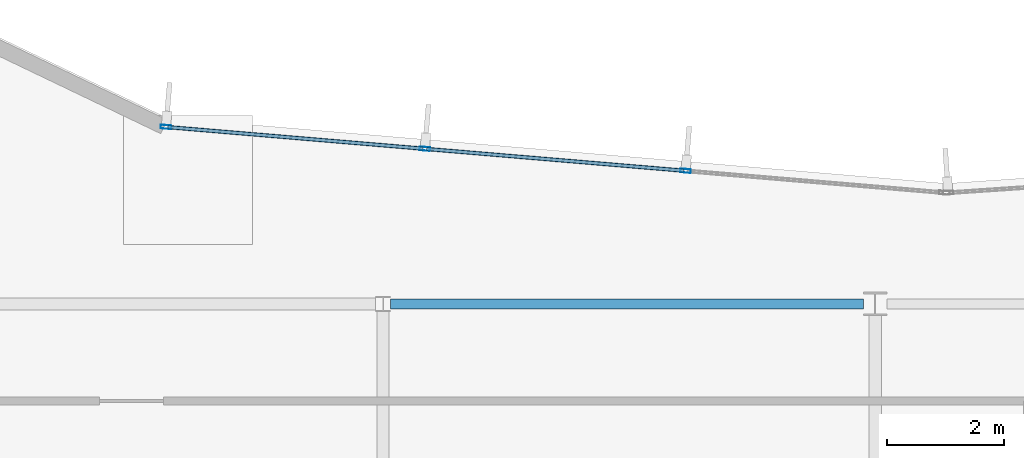
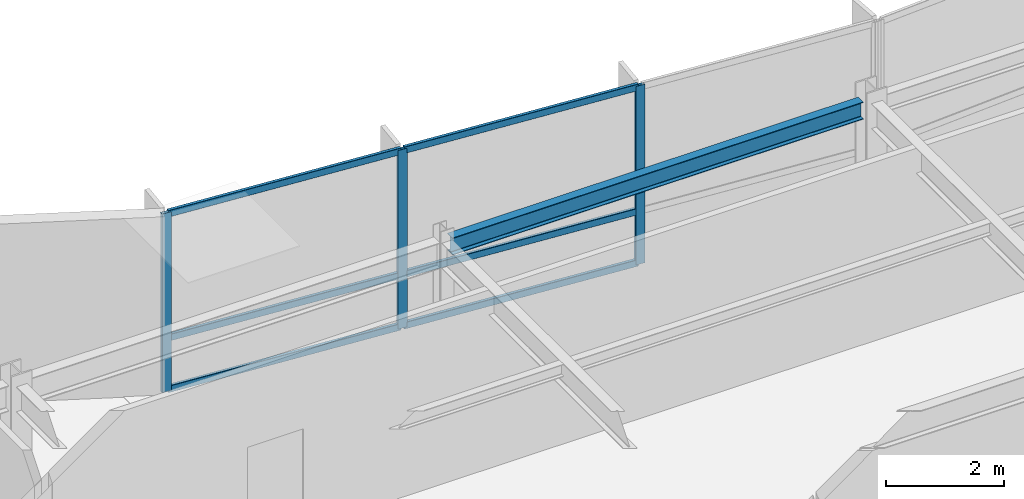
# One storey, part 5 of 15: 9 members, 1 beam, 1 element without a shape of its own.
"""IFC4 building model written with IfcOpenShell, lengths in metres."""

import ifcopenshell
import ifcopenshell.guid

model = None  # the IFC model being written
_history = None  # IfcOwnerHistory: only IFC2X3 demands one
_inside = {}  # id of a spatial element -> (the spatial element, [elements in it])
_under = {}  # id of a project, library or spatial element -> (it, [spatial elements below it])
_declared = {}  # id of a project -> (the project, [libraries it declares])
_typed = {}  # id of a type object -> (the type object, [elements of that type])
_made_of = {}  # id of a material, layer set ... -> (it, [elements and type objects made of it])


def new_model(schema):
    """Start an empty IFC model of exactly this schema.

    Asked for "IFC4X3", IfcOpenShell would pick the latest addendum, in which some entities
    have other attributes; the version numbers below select the first issue.
    IFC2X3 requires an IfcOwnerHistory on every rooted entity: one is made here for all.
    """
    global model, _history
    if schema == "IFC4X3":
        model = ifcopenshell.file(schema_version=(4, 3, 0, 0))
    else:
        model = ifcopenshell.file(schema=schema)
    _inside.clear()
    _under.clear()
    _declared.clear()
    _typed.clear()
    _made_of.clear()
    _history = None
    if model.schema == "IFC2X3":
        org = make("IfcOrganization", Name="unknown")
        user = make(
            "IfcPersonAndOrganization",
            ThePerson=make("IfcPerson", FamilyName="unknown"),
            TheOrganization=org,
        )
        app = make(
            "IfcApplication",
            ApplicationDeveloper=org,
            Version="unknown",
            ApplicationFullName="unknown",
            ApplicationIdentifier="unknown",
        )
        _history = make(
            "IfcOwnerHistory",
            OwningUser=user,
            OwningApplication=app,
            ChangeAction="ADDED",
            CreationDate=0,
        )
    return model


def make(cls, **values):
    """One entity of the class cls with the attributes given. An attribute that is None is left unset."""
    return model.create_entity(
        cls, **{name: value for name, value in values.items() if value is not None}
    )


def rooted(cls, **values):
    """An entity with a GlobalId (a new one), such as an element, a storey or a relation."""
    return make(cls, GlobalId=ifcopenshell.guid.new(), OwnerHistory=_history, **values)


def si_unit(unit_type, name, prefix=None):
    """IfcSIUnit, for example si_unit("LENGTHUNIT", "METRE", prefix="MILLI")."""
    return make("IfcSIUnit", UnitType=unit_type, Prefix=prefix, Name=name)


def assignment(units):
    """IfcUnitAssignment: the units of a project."""
    return None if units is None else make("IfcUnitAssignment", Units=units)


def point(xyz):
    """IfcCartesianPoint."""
    return None if xyz is None else make("IfcCartesianPoint", Coordinates=xyz)


def direction(xyz):
    """IfcDirection."""
    return None if xyz is None else make("IfcDirection", DirectionRatios=xyz)


def frame(location, z_axis=None, x_axis=None):
    """IfcAxis2Placement3D, a coordinate frame: its origin and axes. An axis left out is left unset."""
    return make(
        "IfcAxis2Placement3D",
        Location=point(location),
        Axis=direction(z_axis),
        RefDirection=direction(x_axis),
    )


def frame_2d(location, x_axis=None):
    """IfcAxis2Placement2D, a coordinate frame in the plane: its origin and x axis."""
    return make(
        "IfcAxis2Placement2D", Location=point(location), RefDirection=direction(x_axis)
    )


def origin():
    """The frame at (0, 0, 0) with its axes left unset."""
    return frame((0.0, 0.0, 0.0))


def origin_2d():
    """The frame at (0, 0) in the plane with its x axis left unset."""
    return frame_2d((0.0, 0.0))


def place(relative_to, where):
    """IfcLocalPlacement: puts the frame where relative to a parent placement (None: the world)."""
    return make(
        "IfcLocalPlacement", PlacementRelTo=relative_to, RelativePlacement=where
    )


def context(
    kind, dimensions, precision=None, world=None, true_north=None, identifier=None
):
    """IfcGeometricRepresentationContext, for example the 3D "Model" context."""
    return make(
        "IfcGeometricRepresentationContext",
        ContextIdentifier=identifier,
        ContextType=kind,
        CoordinateSpaceDimension=dimensions,
        Precision=precision,
        WorldCoordinateSystem=world,
        TrueNorth=true_north,
    )


def subcontext(parent, identifier, kind, view, scale=None):
    """IfcGeometricRepresentationSubContext, for example "Body" below "Model"."""
    return make(
        "IfcGeometricRepresentationSubContext",
        ContextIdentifier=identifier,
        ContextType=kind,
        ParentContext=parent,
        TargetScale=scale,
        TargetView=view,
    )


def project(units=None, contexts=None):
    """IfcProject with its units and contexts."""
    return rooted(
        "IfcProject",
        Name="project",
        RepresentationContexts=contexts,
        UnitsInContext=assignment(units),
    )


def spatial(cls, under=None, at=None, **own):
    """A site, building, storey or space (cls), placed at a placement, below another one or the project."""
    s = rooted(cls, ObjectPlacement=at, **own)
    if under is not None:
        _under.setdefault(under.id(), (under, []))[1].append(s)
    return s


def profile(cls, at=None, kind="AREA", **sizes):
    """A parametric profile (cls). Its sizes go by their IFC names, for example OverallWidth=200.0."""
    return make(cls, ProfileType=kind, Position=at, **sizes)


def hollow_rectangle(**sizes):
    """IfcRectangleHollowProfileDef."""
    return profile("IfcRectangleHollowProfileDef", **sizes)


def i_section(**sizes):
    """IfcIShapeProfileDef."""
    return profile("IfcIShapeProfileDef", **sizes)


def extrude(swept, where, along, depth):
    """IfcExtrudedAreaSolid: the profile swept, set in the frame where, extruded along a direction by depth."""
    return make(
        "IfcExtrudedAreaSolid",
        SweptArea=swept,
        Position=where,
        ExtrudedDirection=direction(along),
        Depth=depth,
    )


def shape(context_of_items, identifier, shape_type, items):
    """IfcShapeRepresentation: the items that make up one representation, for example the "Body"."""
    return make(
        "IfcShapeRepresentation",
        ContextOfItems=context_of_items,
        RepresentationIdentifier=identifier,
        RepresentationType=shape_type,
        Items=items,
    )


def material(Name=None, Category=None):
    """IfcMaterial."""
    return make("IfcMaterial", Name=Name, Category=Category)


def layer(
    of_material, thickness, ventilated=None, Name=None, Category=None, Priority=None
):
    """IfcMaterialLayer: one layer of a wall or slab, of a material (None: an air gap)."""
    return make(
        "IfcMaterialLayer",
        Material=of_material,
        LayerThickness=thickness,
        IsVentilated=ventilated,
        Name=Name,
        Category=Category,
        Priority=Priority,
    )


def layer_set(layers, Name=None):
    """IfcMaterialLayerSet."""
    return make("IfcMaterialLayerSet", MaterialLayers=layers, LayerSetName=Name)


def material_profile(
    of_material, cross_section, Name=None, Category=None, Priority=None
):
    """IfcMaterialProfile: a cross section and its material."""
    return make(
        "IfcMaterialProfile",
        Name=Name,
        Material=of_material,
        Profile=cross_section,
        Priority=Priority,
        Category=Category,
    )


def profile_set(profiles, Name=None, composite=None):
    """IfcMaterialProfileSet."""
    return make(
        "IfcMaterialProfileSet",
        Name=Name,
        MaterialProfiles=profiles,
        CompositeProfile=composite,
    )


def made_of(thing, what):
    """Note that an element or type object is made of a material, layer set ...; save() writes the relation."""
    if what is not None:
        _made_of.setdefault(what.id(), (what, []))[1].append(thing)
    return thing


def type_object(cls, material=None, **own):
    """A type object (cls), such as IfcWallType, which elements share."""
    return made_of(rooted(cls, **own), material)


def element(
    cls,
    number,
    at=None,
    inside=None,
    cuts=None,
    type_object=None,
    material=None,
    context=None,
    identifier="Body",
    shape_type=None,
    held_by="IfcProductDefinitionShape",
    body=None,
    shapes=None,
    **own,
):
    """One element of the class cls, such as IfcWall. Its Tag is "e" and its number.

    at: its placement. inside: the storey or other place that contains it. cuts: it is an
    opening in that element (IfcRelVoidsElement). A single representation is given by context,
    identifier, shape_type and body (its items); several are given by shapes. held_by: the class
    of the entity that holds the representations. save() writes the other relations.
    """
    e = rooted(cls, Tag="e%d" % number, ObjectPlacement=at, **own)
    if body is not None:
        shapes = [shape(context, identifier, shape_type, body)]
    if shapes is not None:
        e.Representation = make(held_by, Representations=shapes)
    if inside is not None:
        _inside.setdefault(inside.id(), (inside, []))[1].append(e)
    if cuts is not None:
        rooted(
            "IfcRelVoidsElement", RelatingBuildingElement=cuts, RelatedOpeningElement=e
        )
    if type_object is not None:
        _typed.setdefault(type_object.id(), (type_object, []))[1].append(e)
    return made_of(e, material)


def aggregate(whole, parts):
    """IfcRelAggregates: a whole, such as a stair, and the parts it consists of."""
    return rooted("IfcRelAggregates", RelatingObject=whole, RelatedObjects=parts)


def save(model, path):
    """Write the relations noted so far, then the file.

    IfcRelAggregates (storeys below a building ...), IfcRelContainedInSpatialStructure (elements
    in a storey), IfcRelDefinesByType, IfcRelAssociatesMaterial and IfcRelDeclares: one each for
    every whole, place, type object, material and project.
    """
    for whole, parts in _under.values():
        aggregate(whole, parts)
    for where, things in _inside.values():
        rooted(
            "IfcRelContainedInSpatialStructure",
            RelatedElements=things,
            RelatingStructure=where,
        )
    for kind, things in _typed.values():
        rooted("IfcRelDefinesByType", RelatedObjects=things, RelatingType=kind)
    for what, things in _made_of.values():
        rooted("IfcRelAssociatesMaterial", RelatedObjects=things, RelatingMaterial=what)
    for by, libraries in _declared.values():
        rooted("IfcRelDeclares", RelatingContext=by, RelatedDefinitions=libraries)
    model.write(path)


model = new_model("IFC4")

# Units and contexts
model_context = context("Model", 3, precision=1e-05, world=origin(), true_north=direction((0.0, 1.0)))
body_context = subcontext(model_context, "Body", "Model", "MODEL_VIEW")
ifc_project = project(units=[si_unit("LENGTHUNIT", "METRE"), si_unit("AREAUNIT", "SQUARE_METRE"), si_unit("VOLUMEUNIT", "CUBIC_METRE"), si_unit("PLANEANGLEUNIT", "RADIAN"), si_unit("MASSUNIT", "GRAM", prefix="KILO")], contexts=[model_context])

# Site, building, storey
site_placement = place(None, origin())
site = spatial("IfcSite", under=ifc_project, at=site_placement, CompositionType="ELEMENT")
building_placement = place(site_placement, origin())
building = spatial("IfcBuilding", under=site, at=building_placement, Name="Varnakote Quay Hospital", CompositionType="ELEMENT")
storey_placement = place(building_placement, frame((0.0, 0.0, 200.0)))
storey = spatial("IfcBuildingStorey", under=building, at=storey_placement, Name="L49", CompositionType="ELEMENT", Elevation=200.0)

# Curtain wall, members
ifc_material_1 = material(Name="Anodised aluminium 6063-T6 Bronze", Category="aluminium")
ifc_layer = layer(ifc_material_1, 0.219970703125)
ifc_layer_set = layer_set([ifc_layer], Name="Anodised aluminium 6063-T6 Bronze")
curtain_wall_type = type_object("IfcCurtainWallType", Name="CW-SYS-4", PredefinedType="NOTDEFINED", material=ifc_layer_set)
curtain_wall_placement = place(storey_placement, origin())
curtain_wall = element("IfcCurtainWall", 1, at=curtain_wall_placement, inside=storey, type_object=curtain_wall_type, Name="L49 Unitised Bronze Curtain Wall 2", PredefinedType="NOTDEFINED")
ifc_material_2 = material(Name="Anodised aluminium 6063-T6 Bronze", Category="aluminium")
ifc_material_profile_1 = material_profile(ifc_material_2, hollow_rectangle(XDim=0.06494140625, YDim=0.179931640625, WallThickness=0.00390625, InnerFilletRadius=0.00390625, OuterFilletRadius=0.008056640625, at=origin_2d()), Name="CW-MULL-180x65")
ifc_profile_set_1 = profile_set([ifc_material_profile_1], Name="Anodised aluminium 6063-T6 Bronze")
member_type_1 = type_object("IfcMemberType", Name="CW-MULL-180x65", PredefinedType="MULLION", material=ifc_profile_set_1)
member_1_placement = place(storey_placement, frame((30.363525390625, 31.0712890625, 0.0), z_axis=(0.0, 0.0, 1.0), x_axis=(-0.084136040089, -0.996454277304, 0.0)))
member_1 = element("IfcMember", 2, at=member_1_placement, type_object=member_type_1, Name="-4-L49-2 mullion 2", PredefinedType="MULLION", context=body_context, shape_type="SweptSolid", body=[
    extrude(hollow_rectangle(XDim=0.06494140625, YDim=0.179931640625, WallThickness=0.00390625, InnerFilletRadius=0.00390625, OuterFilletRadius=0.008056640625, at=origin_2d()), origin(), (0.0, 0.0, 1.0), 3.7099609375),
])
member_2_placement = place(storey_placement, frame((25.912353515625, 31.447265625, 0.0), z_axis=(0.0, 0.0, 1.0), x_axis=(-0.084136040089, -0.996454277304, 0.0)))
member_2 = element("IfcMember", 3, at=member_2_placement, type_object=member_type_1, Name="-4-L49-2 mullion 3", PredefinedType="MULLION", context=body_context, shape_type="SweptSolid", body=[
    extrude(hollow_rectangle(XDim=0.06494140625, YDim=0.179931640625, WallThickness=0.00390625, InnerFilletRadius=0.00390625, OuterFilletRadius=0.008056640625, at=origin_2d()), origin(), (0.0, 0.0, 1.0), 3.7099609375),
])
member_3_placement = place(storey_placement, frame((21.49365234375, 31.8203125, 0.0), z_axis=(0.0, 0.0, 1.0), x_axis=(-0.084136040089, -0.996454277304, 0.0)))
member_3 = element("IfcMember", 4, at=member_3_placement, type_object=member_type_1, Name="-4-L49-2 mullion 4", PredefinedType="MULLION", context=body_context, shape_type="SweptSolid", body=[
    extrude(hollow_rectangle(XDim=0.06494140625, YDim=0.179931640625, WallThickness=0.00390625, InnerFilletRadius=0.00390625, OuterFilletRadius=0.008056640625, at=origin_2d()), origin(), (0.0, 0.0, 1.0), 3.7099609375),
])
ifc_material_3 = material(Name="Anodised aluminium 6063-T6 Bronze", Category="aluminium")
ifc_material_profile_2 = material_profile(ifc_material_3, hollow_rectangle(XDim=0.06494140625, YDim=0.139892578125, WallThickness=0.00390625, InnerFilletRadius=0.00390625, OuterFilletRadius=0.007568359375, at=origin_2d()), Name="CW-TRAN-140x65")
ifc_profile_set_2 = profile_set([ifc_material_profile_2], Name="Anodised aluminium 6063-T6 Bronze")
member_type_2 = type_object("IfcMemberType", Name="CW-TRAN-140x65", PredefinedType="USERDEFINED", material=ifc_profile_set_2)
member_4_placement = place(storey_placement, frame((30.331298828125, 31.073974609375, 0.032470703125), z_axis=(-0.996454515714, 0.084133216471, 0.0), x_axis=(-0.084133216471, -0.996454515714, 0.0)))
member_4 = element("IfcMember", 5, at=member_4_placement, type_object=member_type_2, Name="-4-L49-2 transom 2.1", ObjectType="TRANSOM", PredefinedType="USERDEFINED", context=body_context, shape_type="SweptSolid", body=[
    extrude(hollow_rectangle(XDim=0.06494140625, YDim=0.139892578125, WallThickness=0.00390625, InnerFilletRadius=0.00390625, OuterFilletRadius=0.007568359375, at=origin_2d()), origin(), (0.0, 0.0, 1.0), 4.402099609375),
])
member_5_placement = place(storey_placement, frame((30.331298828125, 31.073974609375, 1.10009765625), z_axis=(-0.996454515714, 0.084133216471, 0.0), x_axis=(-0.084133216471, -0.996454515714, 0.0)))
member_5 = element("IfcMember", 6, at=member_5_placement, type_object=member_type_2, Name="-4-L49-2 transom 2.2", ObjectType="TRANSOM", PredefinedType="USERDEFINED", context=body_context, shape_type="SweptSolid", body=[
    extrude(hollow_rectangle(XDim=0.06494140625, YDim=0.139892578125, WallThickness=0.00390625, InnerFilletRadius=0.00390625, OuterFilletRadius=0.007568359375, at=origin_2d()), origin(), (0.0, 0.0, 1.0), 4.402099609375),
])
member_6_placement = place(storey_placement, frame((30.331298828125, 31.073974609375, 3.677490234375), z_axis=(-0.996454515714, 0.084133216471, 0.0), x_axis=(-0.084133216471, -0.996454515714, 0.0)))
member_6 = element("IfcMember", 7, at=member_6_placement, type_object=member_type_2, Name="-4-L49-2 transom 2.3", ObjectType="TRANSOM", PredefinedType="USERDEFINED", context=body_context, shape_type="SweptSolid", body=[
    extrude(hollow_rectangle(XDim=0.06494140625, YDim=0.139892578125, WallThickness=0.00390625, InnerFilletRadius=0.00390625, OuterFilletRadius=0.007568359375, at=origin_2d()), origin(), (0.0, 0.0, 1.0), 4.402099609375),
])
member_7_placement = place(storey_placement, frame((25.880126953125, 31.449951171875, 0.032470703125), z_axis=(-0.996453440464, 0.084145950507, 0.0), x_axis=(-0.084145950507, -0.996453440464, 0.0)))
member_7 = element("IfcMember", 8, at=member_7_placement, type_object=member_type_2, Name="-4-L49-2 transom 3.1", ObjectType="TRANSOM", PredefinedType="USERDEFINED", context=body_context, shape_type="SweptSolid", body=[
    extrude(hollow_rectangle(XDim=0.06494140625, YDim=0.139892578125, WallThickness=0.00390625, InnerFilletRadius=0.00390625, OuterFilletRadius=0.007568359375, at=origin_2d()), origin(), (0.0, 0.0, 1.0), 4.369384765625),
])
member_8_placement = place(storey_placement, frame((25.880126953125, 31.449951171875, 1.10009765625), z_axis=(-0.996453440464, 0.084145950507, 0.0), x_axis=(-0.084145950507, -0.996453440464, 0.0)))
member_8 = element("IfcMember", 9, at=member_8_placement, type_object=member_type_2, Name="-4-L49-2 transom 3.2", ObjectType="TRANSOM", PredefinedType="USERDEFINED", context=body_context, shape_type="SweptSolid", body=[
    extrude(hollow_rectangle(XDim=0.06494140625, YDim=0.139892578125, WallThickness=0.00390625, InnerFilletRadius=0.00390625, OuterFilletRadius=0.007568359375, at=origin_2d()), origin(), (0.0, 0.0, 1.0), 4.369384765625),
])
member_9_placement = place(storey_placement, frame((25.880126953125, 31.449951171875, 3.677490234375), z_axis=(-0.996453440464, 0.084145950507, 0.0), x_axis=(-0.084145950507, -0.996453440464, 0.0)))
member_9 = element("IfcMember", 10, at=member_9_placement, type_object=member_type_2, Name="-4-L49-2 transom 3.3", ObjectType="TRANSOM", PredefinedType="USERDEFINED", context=body_context, shape_type="SweptSolid", body=[
    extrude(hollow_rectangle(XDim=0.06494140625, YDim=0.139892578125, WallThickness=0.00390625, InnerFilletRadius=0.00390625, OuterFilletRadius=0.007568359375, at=origin_2d()), origin(), (0.0, 0.0, 1.0), 4.369384765625),
])
aggregate(curtain_wall, [member_1, member_2, member_3, member_4, member_5, member_6, member_7, member_8, member_9])

# Beam
ifc_material_4 = material(Name="Structural steel AS/NZS 3679.1 Grade 350 L0 (fy 340 MPa)", Category="steel")
ifc_material_profile_3 = material_profile(ifc_material_4, i_section(OverallWidth=0.172119140625, OverallDepth=0.35888671875, WebThickness=0.008056640625, FlangeThickness=0.012939453125, FilletRadius=0.011474609375, at=origin_2d()), Name="360UB56.7")
ifc_profile_set_3 = profile_set([ifc_material_profile_3], Name="Structural steel AS/NZS 3679.1 Grade 350 L0 (fy 340 MPa)")
beam_type = type_object("IfcBeamType", Name="SPN-STL-360UB56-7", PredefinedType="SPANDREL", material=ifc_profile_set_3)
beam_placement = place(storey_placement, frame((25.327880859375, 28.800048828125, 3.530517578125), z_axis=(1.0, 0.0, 0.0), x_axis=(0.0, 1.0, 0.0)))
element("IfcBeam", 11, at=beam_placement, inside=storey, type_object=beam_type, Name="L49 Perimeter Spandrel Beam", PredefinedType="SPANDREL", context=body_context, shape_type="SweptSolid", body=[
    extrude(i_section(OverallWidth=0.172119140625, OverallDepth=0.35888671875, WebThickness=0.008056640625, FlangeThickness=0.012939453125, FilletRadius=0.011474609375, at=origin_2d()), origin(), (0.0, 0.0, 1.0), 8.072021484375),
])

save(model, "model.ifc")
